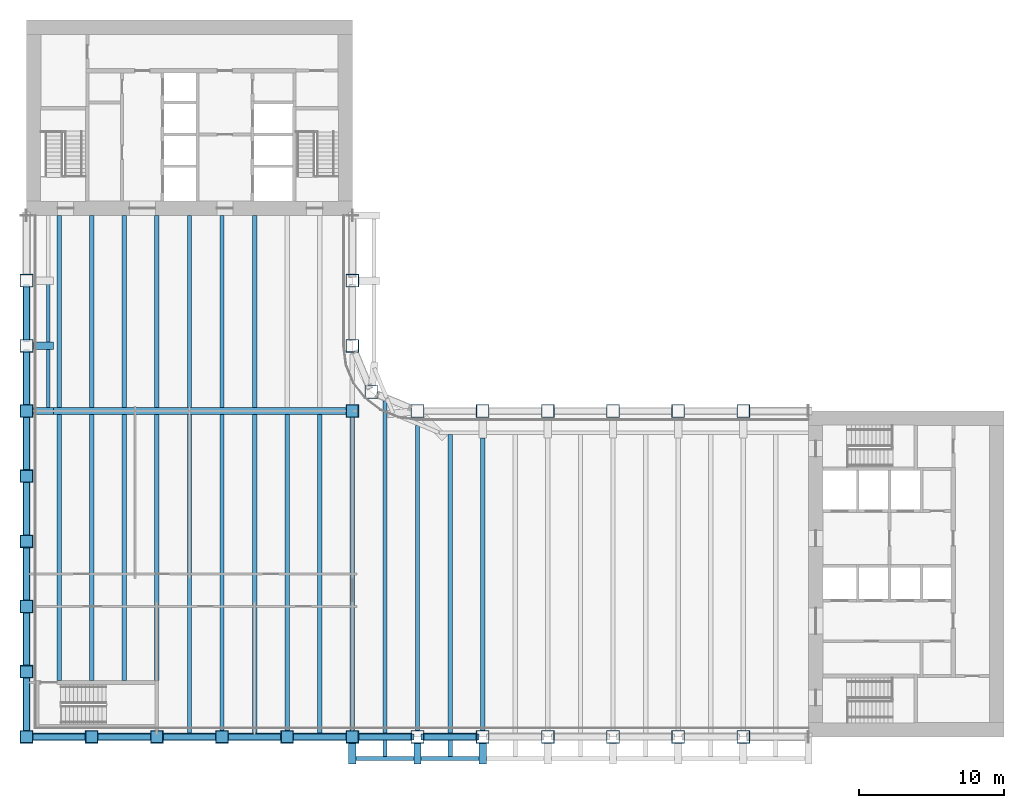
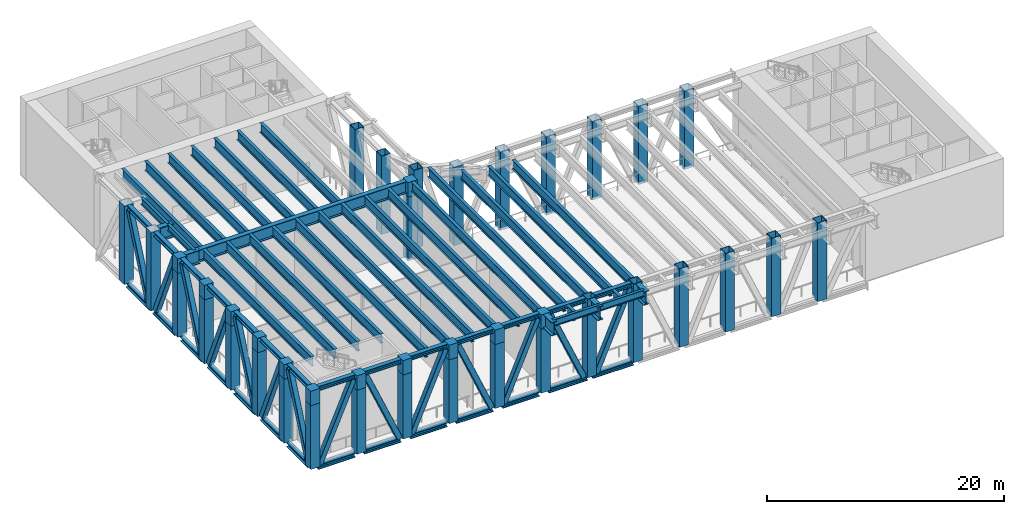
# One storey, part 1 of 16: 42 members, 41 columns, 33 beams.
"""IFC4 building model written with IfcOpenShell, lengths in metres."""

from ifc_helpers import new_model, si_unit, direction, frame, origin, origin_2d, place, context, subcontext, project, spatial, rectangle, hollow_rectangle, i_section, extrude, material, material_profile, profile_set, type_object, element, save


model = new_model("IFC4")

# Units and contexts
model_context = context("Model", 3, precision=1e-05, world=origin(), true_north=direction((0.0, 1.0)))
body_context = subcontext(model_context, "Body", "Model", "MODEL_VIEW")
ifc_project = project(units=[si_unit("LENGTHUNIT", "METRE"), si_unit("AREAUNIT", "SQUARE_METRE"), si_unit("VOLUMEUNIT", "CUBIC_METRE"), si_unit("PLANEANGLEUNIT", "RADIAN"), si_unit("MASSUNIT", "GRAM", prefix="KILO")], contexts=[model_context])

# Site, building, storey
site_placement = place(None, origin())
site = spatial("IfcSite", under=ifc_project, at=site_placement, CompositionType="ELEMENT")
building_placement = place(site_placement, origin())
building = spatial("IfcBuilding", under=site, at=building_placement, Name="Sennacour Bend Tower", CompositionType="ELEMENT")
storey_placement = place(building_placement, frame((0.0, 0.0, 187.0)))
storey = spatial("IfcBuildingStorey", under=building, at=storey_placement, Name="L43", CompositionType="ELEMENT", Elevation=187.0)

# Columns
ifc_material_1 = material(Name="Steel ASTM A572 Grade 50", Category="steel")
ifc_material_profile_1 = material_profile(ifc_material_1, hollow_rectangle(XDim=0.89990234375, YDim=0.89990234375, WallThickness=0.044921875, at=origin_2d()), Name="Steel ASTM A572 Grade 50", Category="steel")
ifc_profile_set_1 = profile_set([ifc_material_profile_1], Name="Steel ASTM A572 Grade 50")
column_type_1 = type_object("IfcColumnType", Name="Box column 900", PredefinedType="COLUMN", material=ifc_profile_set_1)
for number, where, z_axis, x_axis, name in (
    (1, (0.0, 0.0, -0.25), (0.0, 0.0, 1.0), (1.0, 0.0, 0.0), "Perimeter column C3 L43-001"),
    (2, (0.0, 4.5, -0.25), (0.0, 0.0, 1.0), (1.0, 0.0, 0.0), "Perimeter column C3 L43-002"),
    (3, (0.0, 9.0, -0.25), (0.0, 0.0, 1.0), (1.0, 0.0, 0.0), "Perimeter column C3 L43-003"),
    (4, (0.0, 13.5, -0.25), (0.0, 0.0, 1.0), (1.0, 0.0, 0.0), "Perimeter column C3 L43-004"),
    (5, (0.0, 18.0, -0.25), (0.0, 0.0, 1.0), (1.0, 0.0, 0.0), "Perimeter column C3 L43-005"),
    (6, (0.0, 22.5, -0.25), (0.0, 0.0, 1.0), (1.0, 0.0, 0.0), "Perimeter column C3 L43-006"),
):
    element("IfcColumn", number, at=place(storey_placement, frame(where, z_axis=z_axis, x_axis=x_axis)), inside=storey, type_object=column_type_1, Name=name, PredefinedType="COLUMN", context=body_context, shape_type="SweptSolid", body=[
        extrude(hollow_rectangle(XDim=0.89990234375, YDim=0.89990234375, WallThickness=0.044921875, at=origin_2d()), origin(), (0.0, 0.0, 1.0), 6.60009765625),
    ])
for number, where, z_axis, x_axis, name in (
    (7, (0.0, 27.0, -0.25), (0.0, 0.0, 1.0), (1.0, 0.0, 0.0), "Perimeter column C3 L43-007"),
    (8, (0.0, 31.5, -0.25), (0.0, 0.0, 1.0), (1.0, 0.0, 0.0), "Perimeter column C3 L43-008"),
):
    element("IfcColumn", number, at=place(storey_placement, frame(where, z_axis=z_axis, x_axis=x_axis)), inside=storey, type_object=column_type_1, Name=name, PredefinedType="COLUMN", context=body_context, shape_type="SweptSolid", body=[
        extrude(hollow_rectangle(XDim=0.89990234375, YDim=0.89990234375, WallThickness=0.044921875, at=origin_2d()), origin(), (0.0, 0.0, 1.0), 8.10009765625),
    ])
for number, where, z_axis, x_axis, name in (
    (9, (4.5, 0.0, -0.25), (0.0, 0.0, 1.0), (1.0, 0.0, 0.0), "Perimeter column C3 L43-009"),
    (10, (9.0, 0.0, -0.25), (0.0, 0.0, 1.0), (1.0, 0.0, 0.0), "Perimeter column C3 L43-010"),
    (11, (13.5, 0.0, -0.25), (0.0, 0.0, 1.0), (1.0, 0.0, 0.0), "Perimeter column C3 L43-011"),
    (12, (18.0, 0.0, -0.25), (0.0, 0.0, 1.0), (1.0, 0.0, 0.0), "Perimeter column C3 L43-012"),
    (13, (22.5, 0.0, -0.25), (0.0, 0.0, 1.0), (1.0, 0.0, 0.0), "Perimeter column C3 L43-013"),
    (14, (22.5, 22.5, -0.25), (0.0, 0.0, 1.0), (1.0, 0.0, 0.0), "Knuckle column C3 L43-014"),
):
    element("IfcColumn", number, at=place(storey_placement, frame(where, z_axis=z_axis, x_axis=x_axis)), inside=storey, type_object=column_type_1, Name=name, PredefinedType="COLUMN", context=body_context, shape_type="SweptSolid", body=[
        extrude(hollow_rectangle(XDim=0.89990234375, YDim=0.89990234375, WallThickness=0.044921875, at=origin_2d()), origin(), (0.0, 0.0, 1.0), 6.60009765625),
    ])
for number, where, z_axis, x_axis, name in (
    (15, (22.5, 27.0, -0.25), (0.0, 0.0, 1.0), (1.0, 0.0, 0.0), "Perimeter column C3 L43-015"),
    (16, (22.5, 31.5, -0.25), (0.0, 0.0, 1.0), (1.0, 0.0, 0.0), "Perimeter column C3 L43-016"),
    (17, (23.818115234375, 23.818115234375, -0.25), (0.0, 0.0, 1.0), (1.0, 0.0, 0.0), "Perimeter column C3 L43-017"),
    (18, (27.0, 0.0, -0.25), (0.0, 0.0, 1.0), (1.0, 0.0, 0.0), "Perimeter column C3 L43-018"),
    (19, (27.0, 22.5, -0.25), (0.0, 0.0, 1.0), (1.0, 0.0, 0.0), "Perimeter column C3 L43-019"),
    (20, (31.5, 0.0, -0.25), (0.0, 0.0, 1.0), (1.0, 0.0, 0.0), "Perimeter column C3 L43-020"),
    (21, (31.5, 22.5, -0.25), (0.0, 0.0, 1.0), (1.0, 0.0, 0.0), "Perimeter column C3 L43-021"),
    (22, (36.0, 0.0, -0.25), (0.0, 0.0, 1.0), (1.0, 0.0, 0.0), "Perimeter column C3 L43-022"),
    (23, (36.0, 22.5, -0.25), (0.0, 0.0, 1.0), (1.0, 0.0, 0.0), "Perimeter column C3 L43-023"),
    (24, (40.5, 0.0, -0.25), (0.0, 0.0, 1.0), (1.0, 0.0, 0.0), "Perimeter column C3 L43-024"),
    (25, (40.5, 22.5, -0.25), (0.0, 0.0, 1.0), (1.0, 0.0, 0.0), "Perimeter column C3 L43-025"),
    (26, (45.0, 0.0, -0.25), (0.0, 0.0, 1.0), (1.0, 0.0, 0.0), "Perimeter column C3 L43-026"),
    (27, (45.0, 22.5, -0.25), (0.0, 0.0, 1.0), (1.0, 0.0, 0.0), "Perimeter column C3 L43-027"),
    (28, (49.5, 0.0, -0.25), (0.0, 0.0, 1.0), (1.0, 0.0, 0.0), "Perimeter column C3 L43-028"),
    (29, (49.5, 22.5, -0.25), (0.0, 0.0, 1.0), (1.0, 0.0, 0.0), "Perimeter column C3 L43-029"),
):
    element("IfcColumn", number, at=place(storey_placement, frame(where, z_axis=z_axis, x_axis=x_axis)), inside=storey, type_object=column_type_1, Name=name, PredefinedType="COLUMN", context=body_context, shape_type="SweptSolid", body=[
        extrude(hollow_rectangle(XDim=0.89990234375, YDim=0.89990234375, WallThickness=0.044921875, at=origin_2d()), origin(), (0.0, 0.0, 1.0), 8.10009765625),
    ])
ifc_material_profile_2 = material_profile(ifc_material_1, rectangle(XDim=0.89990234375, YDim=0.89990234375, at=origin_2d()), Name="Steel ASTM A572 Grade 50", Category="steel")
ifc_profile_set_2 = profile_set([ifc_material_profile_2], Name="Steel ASTM A572 Grade 50")
column_type_2 = type_object("IfcColumnType", Name="Column head block 900", PredefinedType="COLUMN", material=ifc_profile_set_2)
for number, where, z_axis, x_axis, name in (
    (30, (0.0, 0.0, 6.35009765625), (0.0, 0.0, 1.0), (1.0, 0.0, 0.0), "Column head block L43-001"),
    (31, (0.0, 4.5, 6.35009765625), (0.0, 0.0, 1.0), (1.0, 0.0, 0.0), "Column head block L43-002"),
    (32, (0.0, 9.0, 6.35009765625), (0.0, 0.0, 1.0), (1.0, 0.0, 0.0), "Column head block L43-003"),
    (33, (0.0, 13.5, 6.35009765625), (0.0, 0.0, 1.0), (1.0, 0.0, 0.0), "Column head block L43-004"),
    (34, (0.0, 18.0, 6.35009765625), (0.0, 0.0, 1.0), (1.0, 0.0, 0.0), "Column head block L43-005"),
    (35, (0.0, 22.5, 6.35009765625), (0.0, 0.0, 1.0), (1.0, 0.0, 0.0), "Column head block L43-006"),
    (36, (4.5, 0.0, 6.35009765625), (0.0, 0.0, 1.0), (1.0, 0.0, 0.0), "Column head block L43-009"),
    (37, (9.0, 0.0, 6.35009765625), (0.0, 0.0, 1.0), (1.0, 0.0, 0.0), "Column head block L43-010"),
    (38, (13.5, 0.0, 6.35009765625), (0.0, 0.0, 1.0), (1.0, 0.0, 0.0), "Column head block L43-011"),
    (39, (18.0, 0.0, 6.35009765625), (0.0, 0.0, 1.0), (1.0, 0.0, 0.0), "Column head block L43-012"),
    (40, (22.5, 0.0, 6.35009765625), (0.0, 0.0, 1.0), (1.0, 0.0, 0.0), "Column head block L43-013"),
    (41, (22.5, 22.5, 6.35009765625), (0.0, 0.0, 1.0), (1.0, 0.0, 0.0), "Column head block L43-014"),
):
    element("IfcColumn", number, at=place(storey_placement, frame(where, z_axis=z_axis, x_axis=x_axis)), inside=storey, type_object=column_type_2, Name=name, PredefinedType="COLUMN", context=body_context, shape_type="SweptSolid", body=[
        extrude(rectangle(XDim=0.89990234375, YDim=0.89990234375, at=origin_2d()), origin(), (0.0, 0.0, 1.0), 1.5),
    ])

# Members
ifc_material_2 = material(Name="Steel ASTM A992 Grade 50", Category="steel")
ifc_material_profile_3 = material_profile(ifc_material_2, i_section(OverallWidth=0.4189453125, OverallDepth=0.455078125, WebThickness=0.042236328125, FlangeThickness=0.067626953125, FilletRadius=0.01513671875, at=origin_2d()), Name="Steel ASTM A992 Grade 50", Category="steel")
ifc_profile_set_3 = profile_set([ifc_material_profile_3], Name="Steel ASTM A992 Grade 50")
member_type_1 = type_object("IfcMemberType", Name="Belt truss chord W360X551", PredefinedType="CHORD", material=ifc_profile_set_3)
member_1_placement = place(storey_placement, frame((0.0, 22.949951171875, -0.4775390625), z_axis=(0.0, 1.0, 0.0), x_axis=(-1.0, 0.0, 0.0)))
element("IfcMember", 42, at=member_1_placement, inside=storey, type_object=member_type_1, Name="Belt truss chord BC L43-001", PredefinedType="CHORD", context=body_context, shape_type="SweptSolid", body=[
    extrude(i_section(OverallWidth=0.4189453125, OverallDepth=0.455078125, WebThickness=0.042236328125, FlangeThickness=0.067626953125, FilletRadius=0.01513671875, at=origin_2d()), origin(), (0.0, 0.0, 1.0), 3.800048828125),
])
for number, where, z_axis, x_axis, name in (
    (43, (0.0, 27.25, -0.4775390625), (0.0, 1.0, 0.0), (-1.0, 0.0, 0.0), "Belt truss chord BC L43-002"),
    (44, (31.25, 0.0, -0.4775390625), (-1.0, 0.0, 0.0), (0.0, -1.0, 0.0), "Belt truss chord BC L43-019"),
):
    element("IfcMember", number, at=place(storey_placement, frame(where, z_axis=z_axis, x_axis=x_axis)), inside=storey, type_object=member_type_1, Name=name, PredefinedType="CHORD", context=body_context, shape_type="SweptSolid", body=[
        extrude(i_section(OverallWidth=0.4189453125, OverallDepth=0.455078125, WebThickness=0.042236328125, FlangeThickness=0.067626953125, FilletRadius=0.01513671875, at=origin_2d()), origin(), (0.0, 0.0, 1.0), 4.0),
    ])
member_2_placement = place(storey_placement, frame((26.75, 0.0, -0.4775390625), z_axis=(-1.0, 0.0, 0.0), x_axis=(0.0, -1.0, 0.0)))
element("IfcMember", 45, at=member_2_placement, inside=storey, type_object=member_type_1, Name="Belt truss chord BC L43-020", PredefinedType="CHORD", context=body_context, shape_type="SweptSolid", body=[
    extrude(i_section(OverallWidth=0.4189453125, OverallDepth=0.455078125, WebThickness=0.042236328125, FlangeThickness=0.067626953125, FilletRadius=0.01513671875, at=origin_2d()), origin(), (0.0, 0.0, 1.0), 3.800048828125),
])
for number, where, z_axis, x_axis, name in (
    (46, (22.050048828125, 0.0, -0.4775390625), (-1.0, 0.0, 0.0), (0.0, -1.0, 0.0), "Belt truss chord BC L43-021"),
    (47, (17.550048828125, 0.0, -0.4775390625), (-1.0, 0.0, 0.0), (0.0, -1.0, 0.0), "Belt truss chord BC L43-022"),
    (48, (13.050048828125, 0.0, -0.4775390625), (-1.0, 0.0, 0.0), (0.0, -1.0, 0.0), "Belt truss chord BC L43-023"),
    (49, (8.550048828125, 0.0, -0.4775390625), (-1.0, 0.0, 0.0), (0.0, -1.0, 0.0), "Belt truss chord BC L43-024"),
    (50, (4.050048828125, 0.0, -0.4775390625), (-1.0, 0.0, 0.0), (0.0, -1.0, 0.0), "Belt truss chord BC L43-025"),
    (51, (0.0, 0.449951171875, -0.4775390625), (0.0, 1.0, 0.0), (-1.0, 0.0, 0.0), "Belt truss chord BC L43-026"),
    (52, (0.0, 4.949951171875, -0.4775390625), (0.0, 1.0, 0.0), (-1.0, 0.0, 0.0), "Belt truss chord BC L43-027"),
    (53, (0.0, 9.449951171875, -0.4775390625), (0.0, 1.0, 0.0), (-1.0, 0.0, 0.0), "Belt truss chord BC L43-028"),
    (54, (0.0, 13.949951171875, -0.4775390625), (0.0, 1.0, 0.0), (-1.0, 0.0, 0.0), "Belt truss chord BC L43-029"),
    (55, (0.0, 18.449951171875, -0.4775390625), (0.0, 1.0, 0.0), (-1.0, 0.0, 0.0), "Belt truss chord BC L43-030"),
    (56, (0.0, 22.949951171875, 7.62255859375), (0.0, 1.0, 0.0), (-1.0, 0.0, 0.0), "Belt truss chord BC L43-001"),
    (57, (0.0, 27.449951171875, 7.62255859375), (0.0, 1.0, 0.0), (-1.0, 0.0, 0.0), "Belt truss chord BC L43-002"),
    (58, (31.050048828125, 0.0, 7.62255859375), (-1.0, 0.0, 0.0), (0.0, -1.0, 0.0), "Belt truss chord BC L43-019"),
    (59, (26.550048828125, 0.0, 7.62255859375), (-1.0, 0.0, 0.0), (0.0, -1.0, 0.0), "Belt truss chord BC L43-020"),
    (60, (22.050048828125, 0.0, 7.62255859375), (-1.0, 0.0, 0.0), (0.0, -1.0, 0.0), "Belt truss chord BC L43-021"),
    (61, (17.550048828125, 0.0, 7.62255859375), (-1.0, 0.0, 0.0), (0.0, -1.0, 0.0), "Belt truss chord BC L43-022"),
    (62, (13.050048828125, 0.0, 7.62255859375), (-1.0, 0.0, 0.0), (0.0, -1.0, 0.0), "Belt truss chord BC L43-023"),
    (63, (8.550048828125, 0.0, 7.62255859375), (-1.0, 0.0, 0.0), (0.0, -1.0, 0.0), "Belt truss chord BC L43-024"),
    (64, (4.050048828125, 0.0, 7.62255859375), (-1.0, 0.0, 0.0), (0.0, -1.0, 0.0), "Belt truss chord BC L43-025"),
    (65, (0.0, 0.449951171875, 7.62255859375), (0.0, 1.0, 0.0), (-1.0, 0.0, 0.0), "Belt truss chord BC L43-026"),
    (66, (0.0, 4.949951171875, 7.62255859375), (0.0, 1.0, 0.0), (-1.0, 0.0, 0.0), "Belt truss chord BC L43-027"),
    (67, (0.0, 9.449951171875, 7.62255859375), (0.0, 1.0, 0.0), (-1.0, 0.0, 0.0), "Belt truss chord BC L43-028"),
    (68, (0.0, 13.949951171875, 7.62255859375), (0.0, 1.0, 0.0), (-1.0, 0.0, 0.0), "Belt truss chord BC L43-029"),
    (69, (0.0, 18.449951171875, 7.62255859375), (0.0, 1.0, 0.0), (-1.0, 0.0, 0.0), "Belt truss chord BC L43-030"),
):
    element("IfcMember", number, at=place(storey_placement, frame(where, z_axis=z_axis, x_axis=x_axis)), inside=storey, type_object=member_type_1, Name=name, PredefinedType="CHORD", context=body_context, shape_type="SweptSolid", body=[
        extrude(i_section(OverallWidth=0.4189453125, OverallDepth=0.455078125, WebThickness=0.042236328125, FlangeThickness=0.067626953125, FilletRadius=0.01513671875, at=origin_2d()), origin(), (0.0, 0.0, 1.0), 3.60009765625),
    ])
ifc_material_3 = material(Name="Steel ASTM A500 Grade C", Category="steel")
ifc_material_profile_4 = material_profile(ifc_material_3, hollow_rectangle(XDim=0.508056640625, YDim=0.508056640625, WallThickness=0.01904296875, InnerFilletRadius=0.01904296875, OuterFilletRadius=0.0380859375, at=origin_2d()), Name="Steel ASTM A500 Grade C", Category="steel")
ifc_profile_set_4 = profile_set([ifc_material_profile_4], Name="Steel ASTM A500 Grade C")
member_type_2 = type_object("IfcMemberType", Name="Belt truss diagonal 508", PredefinedType="BRACE", material=ifc_profile_set_4)
for number, where, z_axis, x_axis, name in (
    (70, (0.0, 23.10009765625, 7.39501953125), (0.0, 0.396288862431, -0.918125883261), (-1.0, 0.0, 0.0), "Belt truss diagonal BD L43-001"),
    (71, (0.0, 27.60009765625, -0.25), (0.0, 0.396288862431, 0.918125883261), (-1.0, 0.0, 0.0), "Belt truss diagonal BD L43-002"),
    (72, (30.89990234375, 0.0, 7.39501953125), (-0.396288862431, 0.0, -0.918125883261), (0.0, -1.0, 0.0), "Belt truss diagonal BD L43-015"),
    (73, (26.39990234375, 0.0, -0.25), (-0.396288862431, 0.0, 0.918125883261), (0.0, -1.0, 0.0), "Belt truss diagonal BD L43-016"),
    (74, (21.89990234375, 0.0, 7.39501953125), (-0.396288862431, 0.0, -0.918125883261), (0.0, -1.0, 0.0), "Belt truss diagonal BD L43-017"),
    (75, (17.39990234375, 0.0, -0.25), (-0.396288862431, 0.0, 0.918125883261), (0.0, -1.0, 0.0), "Belt truss diagonal BD L43-018"),
    (76, (12.89990234375, 0.0, 7.39501953125), (-0.396288862431, 0.0, -0.918125883261), (0.0, -1.0, 0.0), "Belt truss diagonal BD L43-019"),
    (77, (8.39990234375, 0.0, -0.25), (-0.396288862431, 0.0, 0.918125883261), (0.0, -1.0, 0.0), "Belt truss diagonal BD L43-020"),
    (78, (3.89990234375, 0.0, 7.39501953125), (-0.396288862431, 0.0, -0.918125883261), (0.0, -1.0, 0.0), "Belt truss diagonal BD L43-021"),
    (79, (0.0, 0.60009765625, -0.25), (0.0, 0.396288862431, 0.918125883261), (-1.0, 0.0, 0.0), "Belt truss diagonal BD L43-022"),
    (80, (0.0, 5.10009765625, 7.39501953125), (0.0, 0.396288862431, -0.918125883261), (-1.0, 0.0, 0.0), "Belt truss diagonal BD L43-023"),
    (81, (0.0, 9.60009765625, -0.25), (0.0, 0.396288862431, 0.918125883261), (-1.0, 0.0, 0.0), "Belt truss diagonal BD L43-024"),
    (82, (0.0, 14.10009765625, 7.39501953125), (0.0, 0.396288862431, -0.918125883261), (-1.0, 0.0, 0.0), "Belt truss diagonal BD L43-025"),
    (83, (0.0, 18.60009765625, -0.25), (0.0, 0.396288862431, 0.918125883261), (-1.0, 0.0, 0.0), "Belt truss diagonal BD L43-026"),
):
    element("IfcMember", number, at=place(storey_placement, frame(where, z_axis=z_axis, x_axis=x_axis)), inside=storey, type_object=member_type_2, Name=name, PredefinedType="BRACE", context=body_context, shape_type="SweptSolid", body=[
        extrude(hollow_rectangle(XDim=0.508056640625, YDim=0.508056640625, WallThickness=0.01904296875, InnerFilletRadius=0.01904296875, OuterFilletRadius=0.0380859375, at=origin_2d()), origin(), (0.0, 0.0, 1.0), 8.32666015625),
    ])

# Beams
ifc_material_profile_5 = material_profile(ifc_material_2, i_section(OverallWidth=0.300048828125, OverallDepth=0.97998046875, WebThickness=0.0166015625, FlangeThickness=0.026123046875, FilletRadius=0.02978515625, at=origin_2d()), Name="Steel ASTM A992 Grade 50", Category="steel")
ifc_profile_set_5 = profile_set([ifc_material_profile_5], Name="Steel ASTM A992 Grade 50")
beam_type_1 = type_object("IfcBeamType", Name="Floor beam W1000X249", PredefinedType="BEAM", material=ifc_profile_set_5)
beam_1_placement = place(storey_placement, frame((2.25, 3.875, 7.360107421875), z_axis=(0.0, 1.0, 0.0), x_axis=(-1.0, 0.0, 0.0)))
element("IfcBeam", 84, at=beam_1_placement, inside=storey, type_object=beam_type_1, Name="Floor beam FBM2 L44-001", PredefinedType="BEAM", context=body_context, shape_type="SweptSolid", body=[
    extrude(i_section(OverallWidth=0.300048828125, OverallDepth=0.97998046875, WebThickness=0.0166015625, FlangeThickness=0.026123046875, FilletRadius=0.02978515625, at=origin_2d()), origin(), (0.0, 0.0, 1.0), 18.39990234375),
])
beam_2_placement = place(storey_placement, frame((2.25, 22.72509765625, 7.360107421875), z_axis=(0.0, 1.0, 0.0), x_axis=(-1.0, 0.0, 0.0)))
element("IfcBeam", 85, at=beam_2_placement, inside=storey, type_object=beam_type_1, Name="Floor beam FBM2 L44-002", PredefinedType="BEAM", context=body_context, shape_type="SweptSolid", body=[
    extrude(i_section(OverallWidth=0.300048828125, OverallDepth=0.97998046875, WebThickness=0.0166015625, FlangeThickness=0.026123046875, FilletRadius=0.02978515625, at=origin_2d()), origin(), (0.0, 0.0, 1.0), 13.27490234375),
])
beam_3_placement = place(storey_placement, frame((4.5, 3.875, 7.360107421875), z_axis=(0.0, 1.0, 0.0), x_axis=(-1.0, 0.0, 0.0)))
element("IfcBeam", 86, at=beam_3_placement, inside=storey, type_object=beam_type_1, Name="Floor beam FBM2 L44-003", PredefinedType="BEAM", context=body_context, shape_type="SweptSolid", body=[
    extrude(i_section(OverallWidth=0.300048828125, OverallDepth=0.97998046875, WebThickness=0.0166015625, FlangeThickness=0.026123046875, FilletRadius=0.02978515625, at=origin_2d()), origin(), (0.0, 0.0, 1.0), 18.39990234375),
])
beam_4_placement = place(storey_placement, frame((4.5, 22.72509765625, 7.360107421875), z_axis=(0.0, 1.0, 0.0), x_axis=(-1.0, 0.0, 0.0)))
element("IfcBeam", 87, at=beam_4_placement, inside=storey, type_object=beam_type_1, Name="Floor beam FBM2 L44-004", PredefinedType="BEAM", context=body_context, shape_type="SweptSolid", body=[
    extrude(i_section(OverallWidth=0.300048828125, OverallDepth=0.97998046875, WebThickness=0.0166015625, FlangeThickness=0.026123046875, FilletRadius=0.02978515625, at=origin_2d()), origin(), (0.0, 0.0, 1.0), 13.27490234375),
])
beam_5_placement = place(storey_placement, frame((6.75, 3.875, 7.360107421875), z_axis=(0.0, 1.0, 0.0), x_axis=(-1.0, 0.0, 0.0)))
element("IfcBeam", 88, at=beam_5_placement, inside=storey, type_object=beam_type_1, Name="Floor beam FBM2 L44-005", PredefinedType="BEAM", context=body_context, shape_type="SweptSolid", body=[
    extrude(i_section(OverallWidth=0.300048828125, OverallDepth=0.97998046875, WebThickness=0.0166015625, FlangeThickness=0.026123046875, FilletRadius=0.02978515625, at=origin_2d()), origin(), (0.0, 0.0, 1.0), 18.39990234375),
])
beam_6_placement = place(storey_placement, frame((6.75, 22.72509765625, 7.360107421875), z_axis=(0.0, 1.0, 0.0), x_axis=(-1.0, 0.0, 0.0)))
element("IfcBeam", 89, at=beam_6_placement, inside=storey, type_object=beam_type_1, Name="Floor beam FBM2 L44-006", PredefinedType="BEAM", context=body_context, shape_type="SweptSolid", body=[
    extrude(i_section(OverallWidth=0.300048828125, OverallDepth=0.97998046875, WebThickness=0.0166015625, FlangeThickness=0.026123046875, FilletRadius=0.02978515625, at=origin_2d()), origin(), (0.0, 0.0, 1.0), 13.27490234375),
])
beam_7_placement = place(storey_placement, frame((9.0, 3.875, 7.360107421875), z_axis=(0.0, 1.0, 0.0), x_axis=(-1.0, 0.0, 0.0)))
element("IfcBeam", 90, at=beam_7_placement, inside=storey, type_object=beam_type_1, Name="Floor beam FBM2 L44-007", PredefinedType="BEAM", context=body_context, shape_type="SweptSolid", body=[
    extrude(i_section(OverallWidth=0.300048828125, OverallDepth=0.97998046875, WebThickness=0.0166015625, FlangeThickness=0.026123046875, FilletRadius=0.02978515625, at=origin_2d()), origin(), (0.0, 0.0, 1.0), 18.39990234375),
])
beam_8_placement = place(storey_placement, frame((9.0, 22.72509765625, 7.360107421875), z_axis=(0.0, 1.0, 0.0), x_axis=(-1.0, 0.0, 0.0)))
element("IfcBeam", 91, at=beam_8_placement, inside=storey, type_object=beam_type_1, Name="Floor beam FBM2 L44-008", PredefinedType="BEAM", context=body_context, shape_type="SweptSolid", body=[
    extrude(i_section(OverallWidth=0.300048828125, OverallDepth=0.97998046875, WebThickness=0.0166015625, FlangeThickness=0.026123046875, FilletRadius=0.02978515625, at=origin_2d()), origin(), (0.0, 0.0, 1.0), 13.27490234375),
])
beam_9_placement = place(storey_placement, frame((11.25, 0.20947265625, 7.360107421875), z_axis=(0.0, 1.0, 0.0), x_axis=(-1.0, 0.0, 0.0)))
element("IfcBeam", 92, at=beam_9_placement, inside=storey, type_object=beam_type_1, Name="Floor beam FBM2 L44-009", PredefinedType="BEAM", context=body_context, shape_type="SweptSolid", body=[
    extrude(i_section(OverallWidth=0.300048828125, OverallDepth=0.97998046875, WebThickness=0.0166015625, FlangeThickness=0.026123046875, FilletRadius=0.02978515625, at=origin_2d()), origin(), (0.0, 0.0, 1.0), 22.0654296875),
])
beam_10_placement = place(storey_placement, frame((11.25, 22.72509765625, 7.360107421875), z_axis=(0.0, 1.0, 0.0), x_axis=(-1.0, 0.0, 0.0)))
element("IfcBeam", 93, at=beam_10_placement, inside=storey, type_object=beam_type_1, Name="Floor beam FBM2 L44-010", PredefinedType="BEAM", context=body_context, shape_type="SweptSolid", body=[
    extrude(i_section(OverallWidth=0.300048828125, OverallDepth=0.97998046875, WebThickness=0.0166015625, FlangeThickness=0.026123046875, FilletRadius=0.02978515625, at=origin_2d()), origin(), (0.0, 0.0, 1.0), 13.27490234375),
])
beam_11_placement = place(storey_placement, frame((13.5, 0.449951171875, 7.360107421875), z_axis=(0.0, 1.0, 0.0), x_axis=(-1.0, 0.0, 0.0)))
element("IfcBeam", 94, at=beam_11_placement, inside=storey, type_object=beam_type_1, Name="Floor beam FBM2 L44-011", PredefinedType="BEAM", context=body_context, shape_type="SweptSolid", body=[
    extrude(i_section(OverallWidth=0.300048828125, OverallDepth=0.97998046875, WebThickness=0.0166015625, FlangeThickness=0.026123046875, FilletRadius=0.02978515625, at=origin_2d()), origin(), (0.0, 0.0, 1.0), 21.824951171875),
])
beam_12_placement = place(storey_placement, frame((13.5, 22.72509765625, 7.360107421875), z_axis=(0.0, 1.0, 0.0), x_axis=(-1.0, 0.0, 0.0)))
element("IfcBeam", 95, at=beam_12_placement, inside=storey, type_object=beam_type_1, Name="Floor beam FBM2 L44-012", PredefinedType="BEAM", context=body_context, shape_type="SweptSolid", body=[
    extrude(i_section(OverallWidth=0.300048828125, OverallDepth=0.97998046875, WebThickness=0.0166015625, FlangeThickness=0.026123046875, FilletRadius=0.02978515625, at=origin_2d()), origin(), (0.0, 0.0, 1.0), 13.27490234375),
])
beam_13_placement = place(storey_placement, frame((15.75, 0.20947265625, 7.360107421875), z_axis=(0.0, 1.0, 0.0), x_axis=(-1.0, 0.0, 0.0)))
element("IfcBeam", 96, at=beam_13_placement, inside=storey, type_object=beam_type_1, Name="Floor beam FBM2 L44-013", PredefinedType="BEAM", context=body_context, shape_type="SweptSolid", body=[
    extrude(i_section(OverallWidth=0.300048828125, OverallDepth=0.97998046875, WebThickness=0.0166015625, FlangeThickness=0.026123046875, FilletRadius=0.02978515625, at=origin_2d()), origin(), (0.0, 0.0, 1.0), 22.0654296875),
])
beam_14_placement = place(storey_placement, frame((15.75, 22.72509765625, 7.360107421875), z_axis=(0.0, 1.0, 0.0), x_axis=(-1.0, 0.0, 0.0)))
element("IfcBeam", 97, at=beam_14_placement, inside=storey, type_object=beam_type_1, Name="Floor beam FBM2 L44-014", PredefinedType="BEAM", context=body_context, shape_type="SweptSolid", body=[
    extrude(i_section(OverallWidth=0.300048828125, OverallDepth=0.97998046875, WebThickness=0.0166015625, FlangeThickness=0.026123046875, FilletRadius=0.02978515625, at=origin_2d()), origin(), (0.0, 0.0, 1.0), 13.27490234375),
])
beam_15_placement = place(storey_placement, frame((18.0, 0.449951171875, 7.360107421875), z_axis=(0.0, 1.0, 0.0), x_axis=(-1.0, 0.0, 0.0)))
element("IfcBeam", 98, at=beam_15_placement, inside=storey, type_object=beam_type_1, Name="Floor beam FBM2 L44-015", PredefinedType="BEAM", context=body_context, shape_type="SweptSolid", body=[
    extrude(i_section(OverallWidth=0.300048828125, OverallDepth=0.97998046875, WebThickness=0.0166015625, FlangeThickness=0.026123046875, FilletRadius=0.02978515625, at=origin_2d()), origin(), (0.0, 0.0, 1.0), 21.824951171875),
])
beam_16_placement = place(storey_placement, frame((20.25, 0.20947265625, 7.360107421875), z_axis=(0.0, 1.0, 0.0), x_axis=(-1.0, 0.0, 0.0)))
element("IfcBeam", 99, at=beam_16_placement, inside=storey, type_object=beam_type_1, Name="Floor beam FBM2 L44-017", PredefinedType="BEAM", context=body_context, shape_type="SweptSolid", body=[
    extrude(i_section(OverallWidth=0.300048828125, OverallDepth=0.97998046875, WebThickness=0.0166015625, FlangeThickness=0.026123046875, FilletRadius=0.02978515625, at=origin_2d()), origin(), (0.0, 0.0, 1.0), 22.0654296875),
])
beam_17_placement = place(storey_placement, frame((22.5, 0.449951171875, 7.360107421875), z_axis=(0.0, 1.0, 0.0), x_axis=(-1.0, 0.0, 0.0)))
element("IfcBeam", 100, at=beam_17_placement, inside=storey, type_object=beam_type_1, Name="Floor beam FBM2 L44-019", PredefinedType="BEAM", context=body_context, shape_type="SweptSolid", body=[
    extrude(i_section(OverallWidth=0.300048828125, OverallDepth=0.97998046875, WebThickness=0.0166015625, FlangeThickness=0.026123046875, FilletRadius=0.02978515625, at=origin_2d()), origin(), (0.0, 0.0, 1.0), 21.60009765625),
])
beam_18_placement = place(storey_placement, frame((24.75, -1.37158203125, 7.360107421875), z_axis=(0.0, 1.0, 0.0), x_axis=(-1.0, 0.0, 0.0)))
element("IfcBeam", 101, at=beam_18_placement, inside=storey, type_object=beam_type_1, Name="Floor beam FBM2 L44-021", PredefinedType="BEAM", context=body_context, shape_type="SweptSolid", body=[
    extrude(i_section(OverallWidth=0.300048828125, OverallDepth=0.97998046875, WebThickness=0.0166015625, FlangeThickness=0.026123046875, FilletRadius=0.02978515625, at=origin_2d()), origin(), (0.0, 0.0, 1.0), 1.162109375),
])
beam_19_placement = place(storey_placement, frame((24.75, 0.20947265625, 7.360107421875), z_axis=(0.0, 1.0, 0.0), x_axis=(-1.0, 0.0, 0.0)))
element("IfcBeam", 102, at=beam_19_placement, inside=storey, type_object=beam_type_1, Name="Floor beam FBM2 L44-022", PredefinedType="BEAM", context=body_context, shape_type="SweptSolid", body=[
    extrude(i_section(OverallWidth=0.300048828125, OverallDepth=0.97998046875, WebThickness=0.0166015625, FlangeThickness=0.026123046875, FilletRadius=0.02978515625, at=origin_2d()), origin(), (0.0, 0.0, 1.0), 22.995849609375),
])
beam_20_placement = place(storey_placement, frame((27.0, 0.449951171875, 7.360107421875), z_axis=(0.0, 1.0, 0.0), x_axis=(-1.0, 0.0, 0.0)))
element("IfcBeam", 103, at=beam_20_placement, inside=storey, type_object=beam_type_1, Name="Floor beam FBM2 L44-023", PredefinedType="BEAM", context=body_context, shape_type="SweptSolid", body=[
    extrude(i_section(OverallWidth=0.300048828125, OverallDepth=0.97998046875, WebThickness=0.0166015625, FlangeThickness=0.026123046875, FilletRadius=0.02978515625, at=origin_2d()), origin(), (0.0, 0.0, 1.0), 21.0322265625),
])
beam_21_placement = place(storey_placement, frame((29.25, -1.37158203125, 7.360107421875), z_axis=(0.0, 1.0, 0.0), x_axis=(-1.0, 0.0, 0.0)))
element("IfcBeam", 104, at=beam_21_placement, inside=storey, type_object=beam_type_1, Name="Floor beam FBM2 L44-024", PredefinedType="BEAM", context=body_context, shape_type="SweptSolid", body=[
    extrude(i_section(OverallWidth=0.300048828125, OverallDepth=0.97998046875, WebThickness=0.0166015625, FlangeThickness=0.026123046875, FilletRadius=0.02978515625, at=origin_2d()), origin(), (0.0, 0.0, 1.0), 1.162109375),
])
beam_22_placement = place(storey_placement, frame((29.25, 0.20947265625, 7.360107421875), z_axis=(0.0, 1.0, 0.0), x_axis=(-1.0, 0.0, 0.0)))
element("IfcBeam", 105, at=beam_22_placement, inside=storey, type_object=beam_type_1, Name="Floor beam FBM2 L44-025", PredefinedType="BEAM", context=body_context, shape_type="SweptSolid", body=[
    extrude(i_section(OverallWidth=0.300048828125, OverallDepth=0.97998046875, WebThickness=0.0166015625, FlangeThickness=0.026123046875, FilletRadius=0.02978515625, at=origin_2d()), origin(), (0.0, 0.0, 1.0), 20.662109375),
])
beam_23_placement = place(storey_placement, frame((31.5, 0.449951171875, 7.360107421875), z_axis=(0.0, 1.0, 0.0), x_axis=(-1.0, 0.0, 0.0)))
element("IfcBeam", 106, at=beam_23_placement, inside=storey, type_object=beam_type_1, Name="Floor beam FBM2 L44-026", PredefinedType="BEAM", context=body_context, shape_type="SweptSolid", body=[
    extrude(i_section(OverallWidth=0.300048828125, OverallDepth=0.97998046875, WebThickness=0.0166015625, FlangeThickness=0.026123046875, FilletRadius=0.02978515625, at=origin_2d()), origin(), (0.0, 0.0, 1.0), 20.175048828125),
])
ifc_material_profile_6 = material_profile(ifc_material_1, i_section(OverallWidth=0.449951171875, OverallDepth=1.25, WebThickness=0.028076171875, FlangeThickness=0.050048828125, at=origin_2d()), Name="Steel ASTM A572 Grade 50", Category="steel")
ifc_profile_set_6 = profile_set([ifc_material_profile_6], Name="Steel ASTM A572 Grade 50")
beam_type_2 = type_object("IfcBeamType", Name="Knuckle girder 1250", PredefinedType="USERDEFINED", material=ifc_profile_set_6)
beam_24_placement = place(storey_placement, frame((1.875, 22.5, 7.22509765625), z_axis=(1.0, 0.0, 0.0), x_axis=(0.0, 1.0, 0.0)))
element("IfcBeam", 107, at=beam_24_placement, inside=storey, type_object=beam_type_2, Name="Knuckle girder GK L44-001", ObjectType="KNUCKLE GIRDER", PredefinedType="USERDEFINED", context=body_context, shape_type="SweptSolid", body=[
    extrude(i_section(OverallWidth=0.449951171875, OverallDepth=1.25, WebThickness=0.028076171875, FlangeThickness=0.050048828125, at=origin_2d()), origin(), (0.0, 0.0, 1.0), 20.175048828125),
])
ifc_material_profile_7 = material_profile(ifc_material_2, i_section(OverallWidth=0.257080078125, OverallDepth=0.693115234375, WebThickness=0.014404296875, FlangeThickness=0.023681640625, FilletRadius=0.015380859375, at=origin_2d()), Name="Steel ASTM A992 Grade 50", Category="steel")
ifc_profile_set_7 = profile_set([ifc_material_profile_7], Name="Steel ASTM A992 Grade 50")
beam_type_3 = type_object("IfcBeamType", Name="Spandrel beam W690X170", PredefinedType="SPANDREL", material=ifc_profile_set_7)
for number, where, z_axis, x_axis, name in (
    (108, (1.5, 22.514892578125, 7.50341796875), (0.0, 1.0, 0.0), (-1.0, 0.0, 0.0), "Spandrel beam SP5 L44-001"),
    (109, (1.5, 27.014892578125, 7.50341796875), (0.0, 1.0, 0.0), (-1.0, 0.0, 0.0), "Spandrel beam SP5 L44-002"),
    (110, (31.485107421875, -1.5, 7.50341796875), (-1.0, 0.0, 0.0), (0.0, -1.0, 0.0), "Spandrel beam SP5 L44-020"),
    (111, (26.985107421875, -1.5, 7.50341796875), (-1.0, 0.0, 0.0), (0.0, -1.0, 0.0), "Spandrel beam SP5 L44-021"),
):
    element("IfcBeam", number, at=place(storey_placement, frame(where, z_axis=z_axis, x_axis=x_axis)), inside=storey, type_object=beam_type_3, Name=name, PredefinedType="SPANDREL", context=body_context, shape_type="SweptSolid", body=[
        extrude(i_section(OverallWidth=0.257080078125, OverallDepth=0.693115234375, WebThickness=0.014404296875, FlangeThickness=0.023681640625, FilletRadius=0.015380859375, at=origin_2d()), origin(), (0.0, 0.0, 1.0), 4.47021484375),
    ])
ifc_material_profile_8 = material_profile(ifc_material_1, i_section(OverallWidth=0.5, OverallDepth=1.39990234375, WebThickness=0.030029296875, FlangeThickness=0.054931640625, at=origin_2d()), Name="Steel ASTM A572 Grade 50", Category="steel")
ifc_profile_set_8 = profile_set([ifc_material_profile_8], Name="Steel ASTM A572 Grade 50")
beam_type_4 = type_object("IfcBeamType", Name="Transfer stub 1400", PredefinedType="USERDEFINED", material=ifc_profile_set_8)
for number, where, z_axis, x_axis, name in (
    (112, (0.449951171875, 22.5, 7.14990234375), (1.0, 0.0, 0.0), (0.0, 1.0, 0.0), "Transfer beam TS L44-001"),
    (113, (0.449951171875, 27.0, 7.14990234375), (1.0, 0.0, 0.0), (0.0, 1.0, 0.0), "Transfer beam TS L44-002"),
    (114, (22.5, -0.449951171875, 7.14990234375), (0.0, -1.0, 0.0), (1.0, 0.0, 0.0), "Transfer beam TS L44-004"),
    (115, (27.0, -0.449951171875, 7.14990234375), (0.0, -1.0, 0.0), (1.0, 0.0, 0.0), "Transfer beam TS L44-009"),
    (116, (31.5, -0.449951171875, 7.14990234375), (0.0, -1.0, 0.0), (1.0, 0.0, 0.0), "Transfer beam TS L44-011"),
):
    element("IfcBeam", number, at=place(storey_placement, frame(where, z_axis=z_axis, x_axis=x_axis)), inside=storey, type_object=beam_type_4, Name=name, ObjectType="TRANSFER BEAM", PredefinedType="USERDEFINED", context=body_context, shape_type="SweptSolid", body=[
        extrude(i_section(OverallWidth=0.5, OverallDepth=1.39990234375, WebThickness=0.030029296875, FlangeThickness=0.054931640625, at=origin_2d()), origin(), (0.0, 0.0, 1.0), 1.425048828125),
    ])

save(model, "model.ifc")
